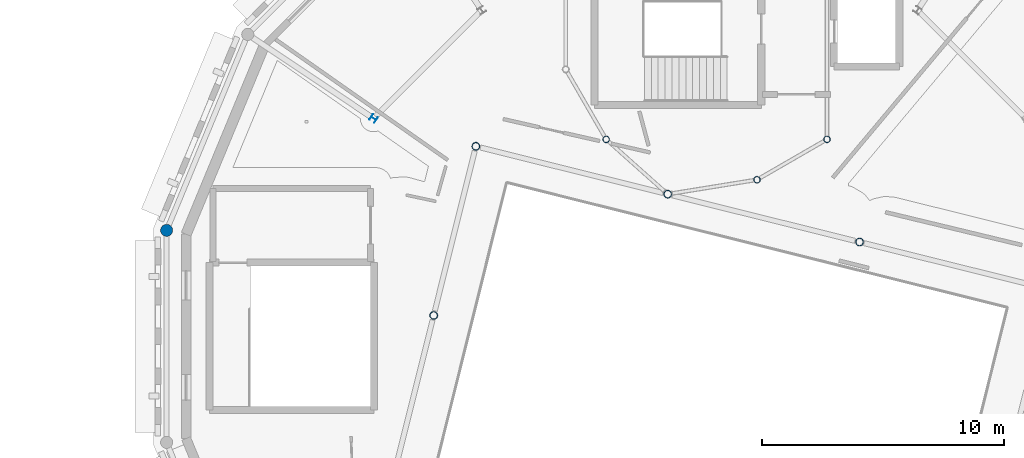
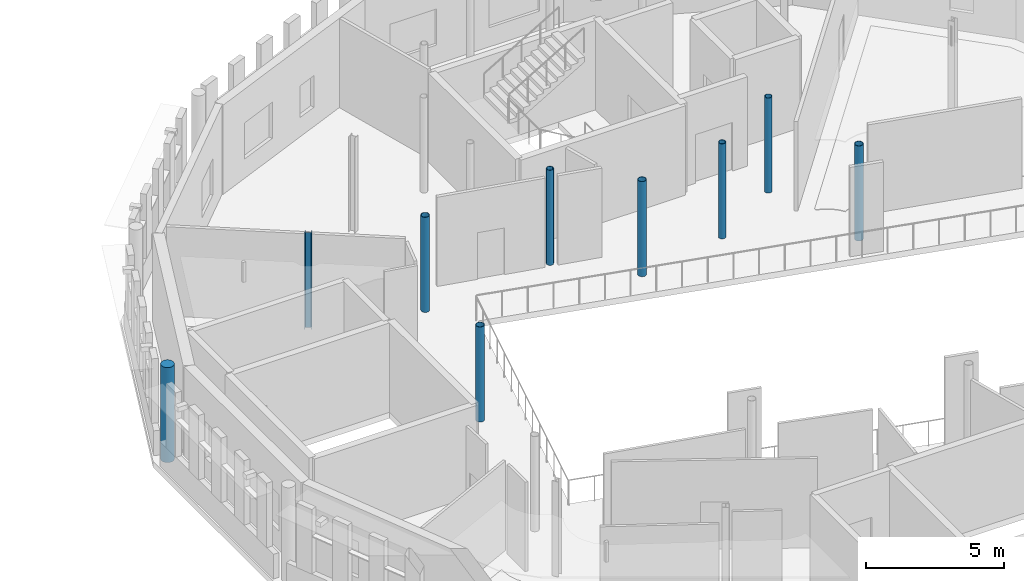
# One storey, part 11 of 68: 9 columns.
"""IFC4 building model written with IfcOpenShell, lengths in metres."""

from ifc_helpers import new_model, si_unit, direction, frame, origin, origin_2d, place, context, subcontext, project, spatial, circle, hollow_circle, i_section, extrude, material, material_profile, profile_set, type_object, element, save


model = new_model("IFC4")

# Units and contexts
model_context = context("Model", 3, precision=1e-05, world=origin(), true_north=direction((0.0, 1.0)))
body_context = subcontext(model_context, "Body", "Model", "MODEL_VIEW")
ifc_project = project(units=[si_unit("LENGTHUNIT", "METRE"), si_unit("AREAUNIT", "SQUARE_METRE"), si_unit("VOLUMEUNIT", "CUBIC_METRE"), si_unit("PLANEANGLEUNIT", "RADIAN"), si_unit("MASSUNIT", "GRAM", prefix="KILO")], contexts=[model_context])

# Site, building, storey
site_placement = place(None, origin())
site = spatial("IfcSite", under=ifc_project, at=site_placement, CompositionType="ELEMENT")
building_placement = place(site_placement, origin())
building = spatial("IfcBuilding", under=site, at=building_placement, Name="Wrenclough Park School", CompositionType="ELEMENT")
storey_placement = place(building_placement, frame((0.0, 0.0, 12.60009765625)))
storey = spatial("IfcBuildingStorey", under=building, at=storey_placement, Name="L03", CompositionType="ELEMENT", Elevation=12.60009765625)

# Columns
ifc_material_1 = material(Name="Structural steel S355", Category="steel")
ifc_material_profile_1 = material_profile(ifc_material_1, hollow_circle(Radius=0.136474609375, WallThickness=0.012451171875, at=origin_2d()), Name="CHS 273.0x12.5")
ifc_profile_set_1 = profile_set([ifc_material_profile_1], Name="Structural steel S355")
column_type_1 = type_object("IfcColumnType", Name="STR-COL-CHS273", PredefinedType="COLUMN", material=ifc_profile_set_1)
for number, where, z_axis, x_axis, name in (
    (1, (151.63916015625, 34.63916015625, 0.0), (0.0, 0.0, 1.0), (0.707106781187, -0.707106781187, 0.0), "D1-SH L03 column D1SH-08"),
    (2, (157.869384765625, 32.9697265625, 0.0), (0.0, 0.0, 1.0), (0.965925826289, 0.258819045103, 0.0), "D1-SH L03 column D1SH-10"),
    (3, (160.7607421875, 34.63916015625, 0.0), (0.0, 0.0, 1.0), (0.707106781187, 0.707106781187, 0.0), "D1-SH L03 column D1SH-11"),
):
    element("IfcColumn", number, at=place(storey_placement, frame(where, z_axis=z_axis, x_axis=x_axis)), inside=storey, type_object=column_type_1, Name=name, PredefinedType="COLUMN", context=body_context, shape_type="SweptSolid", body=[
        extrude(hollow_circle(Radius=0.136474609375, WallThickness=0.012451171875, at=origin_2d()), origin(), (0.0, 0.0, 1.0), 4.199951171875),
    ])
ifc_material_profile_2 = material_profile(ifc_material_1, hollow_circle(Radius=0.161865234375, WallThickness=0.01611328125, at=origin_2d()), Name="CHS 323.9x16.0")
ifc_profile_set_2 = profile_set([ifc_material_profile_2], Name="Structural steel S355")
column_type_2 = type_object("IfcColumnType", Name="STR-COL-CHS324", PredefinedType="COLUMN", material=ifc_profile_set_2)
for number, where, z_axis, x_axis, name in (
    (4, (144.513916015625, 27.363525390625, 0.0), (0.0, 0.0, 1.0), (0.970295726276, -0.2419218956, 0.0), "D1 L03 column D1HR-0-1"),
    (5, (146.255615234375, 34.349609375, 0.0), (0.0, 0.0, 1.0), (0.970295726276, -0.2419218956, 0.0), "D1 L03 column D1HR-0-2"),
    (6, (154.1796875, 32.3740234375, 0.0), (0.0, 0.0, 1.0), (0.970295726276, -0.2419218956, 0.0), "D1 L03 column D1HR-1-2"),
    (7, (162.10400390625, 30.398193359375, 0.0), (0.0, 0.0, 1.0), (0.970295726276, -0.2419218956, 0.0), "D1 L03 column D1HR-2-2"),
):
    element("IfcColumn", number, at=place(storey_placement, frame(where, z_axis=z_axis, x_axis=x_axis)), inside=storey, type_object=column_type_2, Name=name, PredefinedType="COLUMN", context=body_context, shape_type="SweptSolid", body=[
        extrude(hollow_circle(Radius=0.161865234375, WallThickness=0.01611328125, at=origin_2d()), origin(), (0.0, 0.0, 1.0), 4.199951171875),
    ])
ifc_material_2 = material(Name="Concrete C40/50", Category="concrete")
ifc_material_profile_3 = material_profile(ifc_material_2, circle(Radius=0.25, at=origin_2d()), Name="RC COL D500")
ifc_profile_set_3 = profile_set([ifc_material_profile_3], Name="Concrete C40/50")
column_type_3 = type_object("IfcColumnType", Name="STR-COL-RCD500", PredefinedType="COLUMN", material=ifc_profile_set_3)
column_1_placement = place(storey_placement, frame((133.4814453125, 30.8798828125, 0.0), z_axis=(0.0, 0.0, 1.0), x_axis=(-0.195090322016, -0.980785280403, 0.0)))
element("IfcColumn", 8, at=column_1_placement, inside=storey, type_object=column_type_3, Name="D1 L03 column D1-OUT-08", PredefinedType="COLUMN", context=body_context, shape_type="SweptSolid", body=[
    extrude(circle(Radius=0.25, at=origin_2d()), origin(), (0.0, 0.0, 1.0), 4.199951171875),
])
ifc_material_profile_4 = material_profile(ifc_material_1, i_section(OverallWidth=0.254638671875, OverallDepth=0.254150390625, WebThickness=0.008544921875, FlangeThickness=0.01416015625, FilletRadius=0.0126953125, at=origin_2d()), Name="UKC 254x254x73")
ifc_profile_set_4 = profile_set([ifc_material_profile_4], Name="Structural steel S355")
column_type_4 = type_object("IfcColumnType", Name="STR-COL-UKC254A", PredefinedType="COLUMN", material=ifc_profile_set_4)
column_2_placement = place(storey_placement, frame((142.0302734375, 35.500244140625, 0.0), z_axis=(0.0, 0.0, 1.0), x_axis=(-0.55557023302, -0.831469612303, 0.0)))
element("IfcColumn", 9, at=column_2_placement, inside=storey, type_object=column_type_4, Name="D1 L03 column D1-MID-07", PredefinedType="COLUMN", context=body_context, shape_type="SweptSolid", body=[
    extrude(i_section(OverallWidth=0.254638671875, OverallDepth=0.254150390625, WebThickness=0.008544921875, FlangeThickness=0.01416015625, FilletRadius=0.0126953125, at=origin_2d()), origin(), (0.0, 0.0, 1.0), 4.199951171875),
])

save(model, "model.ifc")
